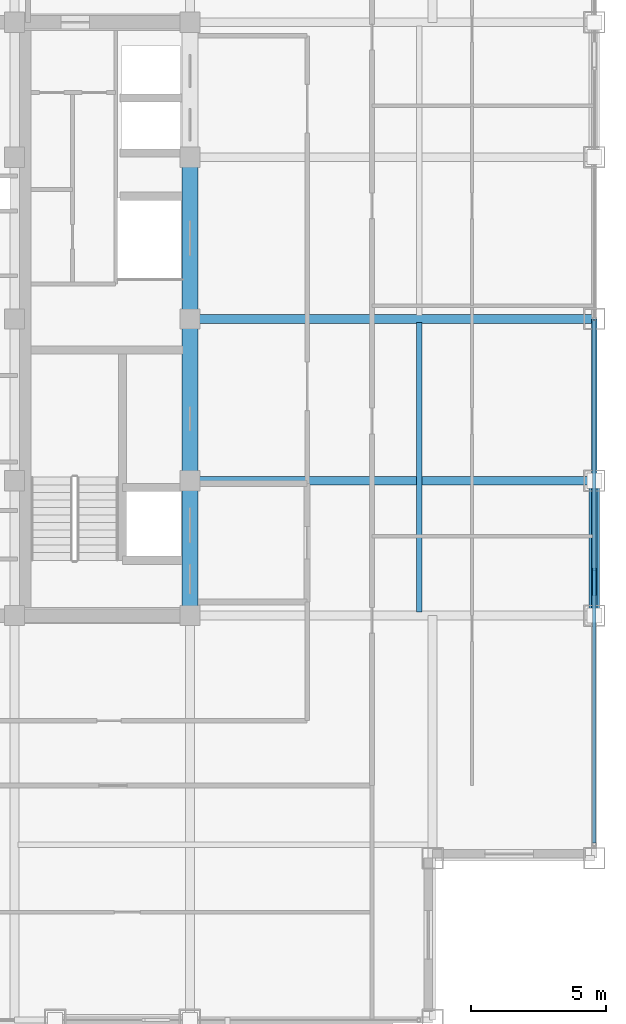
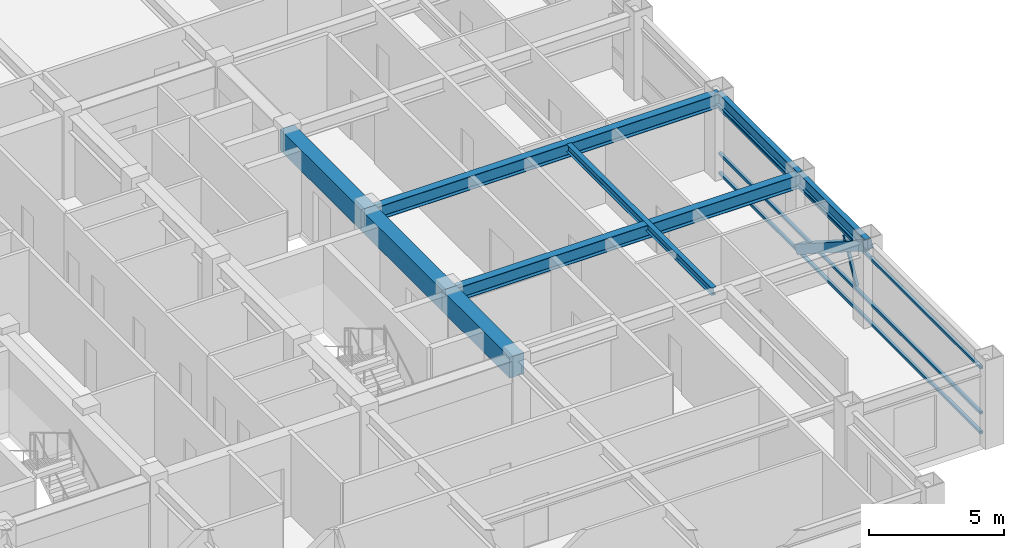
# One storey, part 11 of 32: 8 beams, 5 members, 1 element without a shape of its own.
"""IFC4 building model written with IfcOpenShell, lengths in metres."""

import ifcopenshell
import ifcopenshell.guid

model = None  # the IFC model being written
_history = None  # IfcOwnerHistory: only IFC2X3 demands one
_inside = {}  # id of a spatial element -> (the spatial element, [elements in it])
_under = {}  # id of a project, library or spatial element -> (it, [spatial elements below it])
_declared = {}  # id of a project -> (the project, [libraries it declares])
_typed = {}  # id of a type object -> (the type object, [elements of that type])
_made_of = {}  # id of a material, layer set ... -> (it, [elements and type objects made of it])


def new_model(schema):
    """Start an empty IFC model of exactly this schema.

    Asked for "IFC4X3", IfcOpenShell would pick the latest addendum, in which some entities
    have other attributes; the version numbers below select the first issue.
    IFC2X3 requires an IfcOwnerHistory on every rooted entity: one is made here for all.
    """
    global model, _history
    if schema == "IFC4X3":
        model = ifcopenshell.file(schema_version=(4, 3, 0, 0))
    else:
        model = ifcopenshell.file(schema=schema)
    _inside.clear()
    _under.clear()
    _declared.clear()
    _typed.clear()
    _made_of.clear()
    _history = None
    if model.schema == "IFC2X3":
        org = make("IfcOrganization", Name="unknown")
        user = make(
            "IfcPersonAndOrganization",
            ThePerson=make("IfcPerson", FamilyName="unknown"),
            TheOrganization=org,
        )
        app = make(
            "IfcApplication",
            ApplicationDeveloper=org,
            Version="unknown",
            ApplicationFullName="unknown",
            ApplicationIdentifier="unknown",
        )
        _history = make(
            "IfcOwnerHistory",
            OwningUser=user,
            OwningApplication=app,
            ChangeAction="ADDED",
            CreationDate=0,
        )
    return model


def make(cls, **values):
    """One entity of the class cls with the attributes given. An attribute that is None is left unset."""
    return model.create_entity(
        cls, **{name: value for name, value in values.items() if value is not None}
    )


def rooted(cls, **values):
    """An entity with a GlobalId (a new one), such as an element, a storey or a relation."""
    return make(cls, GlobalId=ifcopenshell.guid.new(), OwnerHistory=_history, **values)


def si_unit(unit_type, name, prefix=None):
    """IfcSIUnit, for example si_unit("LENGTHUNIT", "METRE", prefix="MILLI")."""
    return make("IfcSIUnit", UnitType=unit_type, Prefix=prefix, Name=name)


def assignment(units):
    """IfcUnitAssignment: the units of a project."""
    return None if units is None else make("IfcUnitAssignment", Units=units)


def point(xyz):
    """IfcCartesianPoint."""
    return None if xyz is None else make("IfcCartesianPoint", Coordinates=xyz)


def direction(xyz):
    """IfcDirection."""
    return None if xyz is None else make("IfcDirection", DirectionRatios=xyz)


def frame(location, z_axis=None, x_axis=None):
    """IfcAxis2Placement3D, a coordinate frame: its origin and axes. An axis left out is left unset."""
    return make(
        "IfcAxis2Placement3D",
        Location=point(location),
        Axis=direction(z_axis),
        RefDirection=direction(x_axis),
    )


def frame_2d(location, x_axis=None):
    """IfcAxis2Placement2D, a coordinate frame in the plane: its origin and x axis."""
    return make(
        "IfcAxis2Placement2D", Location=point(location), RefDirection=direction(x_axis)
    )


def origin():
    """The frame at (0, 0, 0) with its axes left unset."""
    return frame((0.0, 0.0, 0.0))


def origin_2d():
    """The frame at (0, 0) in the plane with its x axis left unset."""
    return frame_2d((0.0, 0.0))


def place(relative_to, where):
    """IfcLocalPlacement: puts the frame where relative to a parent placement (None: the world)."""
    return make(
        "IfcLocalPlacement", PlacementRelTo=relative_to, RelativePlacement=where
    )


def context(
    kind, dimensions, precision=None, world=None, true_north=None, identifier=None
):
    """IfcGeometricRepresentationContext, for example the 3D "Model" context."""
    return make(
        "IfcGeometricRepresentationContext",
        ContextIdentifier=identifier,
        ContextType=kind,
        CoordinateSpaceDimension=dimensions,
        Precision=precision,
        WorldCoordinateSystem=world,
        TrueNorth=true_north,
    )


def subcontext(parent, identifier, kind, view, scale=None):
    """IfcGeometricRepresentationSubContext, for example "Body" below "Model"."""
    return make(
        "IfcGeometricRepresentationSubContext",
        ContextIdentifier=identifier,
        ContextType=kind,
        ParentContext=parent,
        TargetScale=scale,
        TargetView=view,
    )


def project(units=None, contexts=None):
    """IfcProject with its units and contexts."""
    return rooted(
        "IfcProject",
        Name="project",
        RepresentationContexts=contexts,
        UnitsInContext=assignment(units),
    )


def spatial(cls, under=None, at=None, **own):
    """A site, building, storey or space (cls), placed at a placement, below another one or the project."""
    s = rooted(cls, ObjectPlacement=at, **own)
    if under is not None:
        _under.setdefault(under.id(), (under, []))[1].append(s)
    return s


def profile(cls, at=None, kind="AREA", **sizes):
    """A parametric profile (cls). Its sizes go by their IFC names, for example OverallWidth=200.0."""
    return make(cls, ProfileType=kind, Position=at, **sizes)


def rectangle(**sizes):
    """IfcRectangleProfileDef."""
    return profile("IfcRectangleProfileDef", **sizes)


def hollow_rectangle(**sizes):
    """IfcRectangleHollowProfileDef."""
    return profile("IfcRectangleHollowProfileDef", **sizes)


def i_section(**sizes):
    """IfcIShapeProfileDef."""
    return profile("IfcIShapeProfileDef", **sizes)


def extrude(swept, where, along, depth):
    """IfcExtrudedAreaSolid: the profile swept, set in the frame where, extruded along a direction by depth."""
    return make(
        "IfcExtrudedAreaSolid",
        SweptArea=swept,
        Position=where,
        ExtrudedDirection=direction(along),
        Depth=depth,
    )


def shape(context_of_items, identifier, shape_type, items):
    """IfcShapeRepresentation: the items that make up one representation, for example the "Body"."""
    return make(
        "IfcShapeRepresentation",
        ContextOfItems=context_of_items,
        RepresentationIdentifier=identifier,
        RepresentationType=shape_type,
        Items=items,
    )


def source(mapping_origin, context_of_items, identifier, shape_type, items):
    """IfcRepresentationMap: a shape defined once, which mapped items show again and again."""
    return make(
        "IfcRepresentationMap",
        MappingOrigin=mapping_origin,
        MappedRepresentation=shape(context_of_items, identifier, shape_type, items),
    )


def transform(
    local_origin,
    x_axis=None,
    y_axis=None,
    z_axis=None,
    scale=None,
    scale2=None,
    scale3=None,
    uniform=True,
):
    """IfcCartesianTransformationOperator3D, or its non-uniform kind. x_axis, y_axis, z_axis: its Axis1, 2, 3."""
    if uniform:
        return make(
            "IfcCartesianTransformationOperator3D",
            Axis1=direction(x_axis),
            Axis2=direction(y_axis),
            LocalOrigin=point(local_origin),
            Scale=scale,
            Axis3=direction(z_axis),
        )
    return make(
        "IfcCartesianTransformationOperator3DnonUniform",
        Axis1=direction(x_axis),
        Axis2=direction(y_axis),
        LocalOrigin=point(local_origin),
        Scale=scale,
        Axis3=direction(z_axis),
        Scale2=scale2,
        Scale3=scale3,
    )


def mapped(mapping_source, mapping_target):
    """IfcMappedItem: shows the shape of a source again, moved by a transform."""
    return make(
        "IfcMappedItem", MappingSource=mapping_source, MappingTarget=mapping_target
    )


def material(Name=None, Category=None):
    """IfcMaterial."""
    return make("IfcMaterial", Name=Name, Category=Category)


def material_profile(
    of_material, cross_section, Name=None, Category=None, Priority=None
):
    """IfcMaterialProfile: a cross section and its material."""
    return make(
        "IfcMaterialProfile",
        Name=Name,
        Material=of_material,
        Profile=cross_section,
        Priority=Priority,
        Category=Category,
    )


def profile_set(profiles, Name=None, composite=None):
    """IfcMaterialProfileSet."""
    return make(
        "IfcMaterialProfileSet",
        Name=Name,
        MaterialProfiles=profiles,
        CompositeProfile=composite,
    )


def made_of(thing, what):
    """Note that an element or type object is made of a material, layer set ...; save() writes the relation."""
    if what is not None:
        _made_of.setdefault(what.id(), (what, []))[1].append(thing)
    return thing


def type_object(cls, material=None, **own):
    """A type object (cls), such as IfcWallType, which elements share."""
    return made_of(rooted(cls, **own), material)


def element(
    cls,
    number,
    at=None,
    inside=None,
    cuts=None,
    type_object=None,
    material=None,
    context=None,
    identifier="Body",
    shape_type=None,
    held_by="IfcProductDefinitionShape",
    body=None,
    shapes=None,
    **own,
):
    """One element of the class cls, such as IfcWall. Its Tag is "e" and its number.

    at: its placement. inside: the storey or other place that contains it. cuts: it is an
    opening in that element (IfcRelVoidsElement). A single representation is given by context,
    identifier, shape_type and body (its items); several are given by shapes. held_by: the class
    of the entity that holds the representations. save() writes the other relations.
    """
    e = rooted(cls, Tag="e%d" % number, ObjectPlacement=at, **own)
    if body is not None:
        shapes = [shape(context, identifier, shape_type, body)]
    if shapes is not None:
        e.Representation = make(held_by, Representations=shapes)
    if inside is not None:
        _inside.setdefault(inside.id(), (inside, []))[1].append(e)
    if cuts is not None:
        rooted(
            "IfcRelVoidsElement", RelatingBuildingElement=cuts, RelatedOpeningElement=e
        )
    if type_object is not None:
        _typed.setdefault(type_object.id(), (type_object, []))[1].append(e)
    return made_of(e, material)


def aggregate(whole, parts):
    """IfcRelAggregates: a whole, such as a stair, and the parts it consists of."""
    return rooted("IfcRelAggregates", RelatingObject=whole, RelatedObjects=parts)


def save(model, path):
    """Write the relations noted so far, then the file.

    IfcRelAggregates (storeys below a building ...), IfcRelContainedInSpatialStructure (elements
    in a storey), IfcRelDefinesByType, IfcRelAssociatesMaterial and IfcRelDeclares: one each for
    every whole, place, type object, material and project.
    """
    for whole, parts in _under.values():
        aggregate(whole, parts)
    for where, things in _inside.values():
        rooted(
            "IfcRelContainedInSpatialStructure",
            RelatedElements=things,
            RelatingStructure=where,
        )
    for kind, things in _typed.values():
        rooted("IfcRelDefinesByType", RelatedObjects=things, RelatingType=kind)
    for what, things in _made_of.values():
        rooted("IfcRelAssociatesMaterial", RelatedObjects=things, RelatingMaterial=what)
    for by, libraries in _declared.values():
        rooted("IfcRelDeclares", RelatingContext=by, RelatedDefinitions=libraries)
    model.write(path)


model = new_model("IFC4")

# Units and contexts
model_context = context("Model", 3, precision=1e-05, world=origin(), true_north=direction((0.0, 1.0)))
body_context = subcontext(model_context, "Body", "Model", "MODEL_VIEW")
ifc_project = project(units=[si_unit("LENGTHUNIT", "METRE"), si_unit("AREAUNIT", "SQUARE_METRE"), si_unit("VOLUMEUNIT", "CUBIC_METRE"), si_unit("PLANEANGLEUNIT", "RADIAN"), si_unit("MASSUNIT", "GRAM", prefix="KILO")], contexts=[model_context])

# Site, building, storey
site_placement = place(None, origin())
site = spatial("IfcSite", under=ifc_project, at=site_placement, CompositionType="ELEMENT")
building_placement = place(site_placement, origin())
building = spatial("IfcBuilding", under=site, at=building_placement, Name="Khorayat Bourse Tower", CompositionType="ELEMENT")
storey_placement = place(building_placement, frame((0.0, 0.0, 342.300048828125)))
storey = spatial("IfcBuildingStorey", under=building, at=storey_placement, Name="L81", CompositionType="ELEMENT", Elevation=342.300048828125)

# Beams
ifc_material_1 = material(Name="Concrete C60/75", Category="concrete")
ifc_material_profile_1 = material_profile(ifc_material_1, rectangle(XDim=0.60009765625, YDim=0.949951171875, at=origin_2d()), Name="RC 600x950")
ifc_profile_set_1 = profile_set([ifc_material_profile_1], Name="Concrete C60/75")
beam_type_1 = type_object("IfcBeamType", Name="BM-COUP-950", PredefinedType="BEAM", material=ifc_profile_set_1)
shared_shape_1 = source(origin(), body_context, "Body", "SweptSolid", [
    extrude(rectangle(XDim=0.60009765625, YDim=0.949951171875, at=origin_2d()), origin(), (0.0, 0.0, 1.0), 5.0),
])
beam_1_placement = place(storey_placement, frame((11.0, -11.0, 3.224853515625), z_axis=(0.0, 1.0, 0.0), x_axis=(-1.0, 0.0, 0.0)))
element("IfcBeam", 1, at=beam_1_placement, inside=storey, type_object=beam_type_1, Name="L81 BM-COUP-950 BM-L81-CRX-13", PredefinedType="BEAM", context=body_context, shape_type="MappedRepresentation", body=[
    mapped(shared_shape_1, transform((0.0, 0.0, 0.0), scale=1.0)),
])
shared_shape_2 = source(origin(), body_context, "Body", "SweptSolid", [
    extrude(rectangle(XDim=0.60009765625, YDim=0.949951171875, at=origin_2d()), origin(), (0.0, 0.0, 1.0), 6.0),
])
for number, where, z_axis, x_axis, name in (
    (2, (11.0, -6.0, 3.224853515625), (0.0, 1.0, 0.0), (-1.0, 0.0, 0.0), "L81 BM-COUP-950 BM-L81-CRX-14"),
    (3, (11.0, 0.0, 3.224853515625), (0.0, 1.0, 0.0), (-1.0, 0.0, 0.0), "L81 BM-COUP-950 BM-L81-CRX-15"),
):
    element("IfcBeam", number, at=place(storey_placement, frame(where, z_axis=z_axis, x_axis=x_axis)), inside=storey, type_object=beam_type_1, Name=name, PredefinedType="BEAM", context=body_context, shape_type="MappedRepresentation", body=[
        mapped(shared_shape_2, transform((0.0, 0.0, 0.0), scale=1.0)),
    ])
ifc_material_2 = material(Name="Steel ASTM A992 Grade 50", Category="steel")
ifc_material_profile_2 = material_profile(ifc_material_2, i_section(OverallWidth=0.202880859375, OverallDepth=0.346923828125, WebThickness=0.0078125, FlangeThickness=0.013427734375, FilletRadius=0.010009765625, at=origin_2d()), Name="W360X64")
ifc_profile_set_2 = profile_set([ifc_material_profile_2], Name="Steel ASTM A992 Grade 50")
beam_type_2 = type_object("IfcBeamType", Name="BM-JOIST-360", PredefinedType="JOIST", material=ifc_profile_set_2)
shared_shape_3 = source(origin(), body_context, "Body", "SweptSolid", [
    extrude(i_section(OverallWidth=0.202880859375, OverallDepth=0.346923828125, WebThickness=0.0078125, FlangeThickness=0.013427734375, FilletRadius=0.010009765625, at=origin_2d()), origin(), (0.0, 0.0, 1.0), 10.740234375),
])
beam_2_placement = place(storey_placement, frame((19.5, -10.8701171875, 3.5263671875), z_axis=(0.0, 1.0, 0.0), x_axis=(-1.0, 0.0, 0.0)))
element("IfcBeam", 4, at=beam_2_placement, inside=storey, type_object=beam_type_2, Name="L81 BM-JOIST-360 BM-L81-JSTY-081", PredefinedType="JOIST", context=body_context, shape_type="MappedRepresentation", body=[
    mapped(shared_shape_3, transform((0.0, 0.0, 0.0), scale=1.0)),
])
ifc_material_profile_3 = material_profile(ifc_material_2, i_section(OverallWidth=0.214111328125, OverallDepth=0.549072265625, WebThickness=0.0146484375, FlangeThickness=0.023681640625, FilletRadius=0.013916015625, at=origin_2d()), Name="W530X138")
ifc_profile_set_3 = profile_set([ifc_material_profile_3], Name="Steel ASTM A992 Grade 50")
beam_type_3 = type_object("IfcBeamType", Name="BM-SPAN-530", PredefinedType="SPANDREL", material=ifc_profile_set_3)
shared_shape_4 = source(origin(), body_context, "Body", "SweptSolid", [
    extrude(i_section(OverallWidth=0.214111328125, OverallDepth=0.549072265625, WebThickness=0.0146484375, FlangeThickness=0.023681640625, FilletRadius=0.013916015625, at=origin_2d()), origin(), (0.0, 0.0, 1.0), 5.0),
])
beam_3_placement = place(storey_placement, frame((26.0, -11.0, 3.425537109375), z_axis=(0.0, 1.0, 0.0), x_axis=(-1.0, 0.0, 0.0)))
element("IfcBeam", 5, at=beam_3_placement, inside=storey, type_object=beam_type_3, Name="L81 BM-SPAN-530 BM-L81-SPN-030", PredefinedType="SPANDREL", context=body_context, shape_type="MappedRepresentation", body=[
    mapped(shared_shape_4, transform((0.0, 0.0, 0.0), scale=1.0)),
])
shared_shape_5 = source(origin(), body_context, "Body", "SweptSolid", [
    extrude(i_section(OverallWidth=0.214111328125, OverallDepth=0.549072265625, WebThickness=0.0146484375, FlangeThickness=0.023681640625, FilletRadius=0.013916015625, at=origin_2d()), origin(), (0.0, 0.0, 1.0), 6.0),
])
beam_4_placement = place(storey_placement, frame((26.0, -6.0, 3.425537109375), z_axis=(0.0, 1.0, 0.0), x_axis=(-1.0, 0.0, 0.0)))
element("IfcBeam", 6, at=beam_4_placement, inside=storey, type_object=beam_type_3, Name="L81 BM-SPAN-530 BM-L81-SPN-031", PredefinedType="SPANDREL", context=body_context, shape_type="MappedRepresentation", body=[
    mapped(shared_shape_5, transform((0.0, 0.0, 0.0), scale=1.0)),
])
ifc_material_profile_4 = material_profile(ifc_material_2, i_section(OverallWidth=0.324951171875, OverallDepth=0.615966796875, WebThickness=0.013916015625, FlangeThickness=0.021484375, FilletRadius=0.01611328125, at=origin_2d()), Name="W610X174")
ifc_profile_set_4 = profile_set([ifc_material_profile_4], Name="Steel ASTM A992 Grade 50")
beam_type_4 = type_object("IfcBeamType", Name="BM-GIRD-610", PredefinedType="BEAM", material=ifc_profile_set_4)
shared_shape_6 = source(origin(), body_context, "Body", "SweptSolid", [
    extrude(i_section(OverallWidth=0.324951171875, OverallDepth=0.615966796875, WebThickness=0.013916015625, FlangeThickness=0.021484375, FilletRadius=0.01611328125, at=origin_2d()), origin(), (0.0, 0.0, 1.0), 15.0),
])
for number, where, z_axis, x_axis, name in (
    (7, (11.0, -6.0, 3.391845703125), (1.0, 0.0, 0.0), (0.0, 1.0, 0.0), "L81 BM-GIRD-610 BM-L81-RADX-063"),
    (8, (11.0, 0.0, 3.391845703125), (1.0, 0.0, 0.0), (0.0, 1.0, 0.0), "L81 BM-GIRD-610 BM-L81-RADX-065"),
):
    element("IfcBeam", number, at=place(storey_placement, frame(where, z_axis=z_axis, x_axis=x_axis)), inside=storey, type_object=beam_type_4, Name=name, PredefinedType="BEAM", context=body_context, shape_type="MappedRepresentation", body=[
        mapped(shared_shape_6, transform((0.0, 0.0, 0.0), scale=1.0)),
    ])

# Member
ifc_material_3 = material(Name="Steel EN 10025-4 S460M", Category="steel")
ifc_material_profile_5 = material_profile(ifc_material_3, hollow_rectangle(XDim=0.39990234375, YDim=0.39990234375, WallThickness=0.02197265625, at=origin_2d()), Name="HSS 400x400x22")
ifc_profile_set_5 = profile_set([ifc_material_profile_5], Name="Steel EN 10025-4 S460M")
member_type_1 = type_object("IfcMemberType", Name="MBR-TUBE-400", PredefinedType="BRACE", material=ifc_profile_set_5)
shared_shape_7 = source(origin(), body_context, "Body", "SweptSolid", [
    extrude(hollow_rectangle(XDim=0.39990234375, YDim=0.39990234375, WallThickness=0.02197265625, at=origin_2d()), origin(), (0.0, 0.0, 1.0), 5.936279296875),
])
member_1_placement = place(storey_placement, frame((26.0, -11.0, 3.449951171875), z_axis=(0.0, 0.84227513519, -0.539047861178), x_axis=(-1.0, 0.0, 0.0)))
element("IfcMember", 9, at=member_1_placement, inside=storey, type_object=member_type_1, Name="L81 Perimeter Tube Brace 07", PredefinedType="BRACE", context=body_context, shape_type="MappedRepresentation", body=[
    mapped(shared_shape_7, transform((0.0, 0.0, 0.0), scale=1.0)),
])

# Curtain wall, members
ifc_material_4 = material(Name="Aluminium EN AW-6063 T6", Category="aluminium")
curtain_wall_type = type_object("IfcCurtainWallType", Name="CW-SYS-04", PredefinedType="NOTDEFINED", material=ifc_material_4)
curtain_wall_placement = place(storey_placement, origin())
curtain_wall = element("IfcCurtainWall", 10, at=curtain_wall_placement, inside=storey, type_object=curtain_wall_type, Name="L81 Curtain Wall CW-L81-E1", PredefinedType="NOTDEFINED")
ifc_material_profile_6 = material_profile(ifc_material_4, hollow_rectangle(XDim=0.1201171875, YDim=0.1201171875, WallThickness=0.0048828125, at=origin_2d()), Name="ALU 120x120x5")
ifc_profile_set_6 = profile_set([ifc_material_profile_6], Name="Aluminium EN AW-6063 T6")
member_type_2 = type_object("IfcMemberType", Name="CWT-HORZ-120", PredefinedType="USERDEFINED", material=ifc_profile_set_6)
shared_shape_8 = source(origin(), body_context, "Body", "SweptSolid", [
    extrude(hollow_rectangle(XDim=0.1201171875, YDim=0.1201171875, WallThickness=0.0048828125, at=origin_2d()), origin(), (0.0, 0.0, 1.0), 19.369873046875),
])
member_2_placement = place(storey_placement, frame((26.0, -19.429931640625, 0.06005859375), z_axis=(0.0, 1.0, 0.0), x_axis=(-1.0, 0.0, 0.0)))
member_2 = element("IfcMember", 11, at=member_2_placement, type_object=member_type_2, Name="CW-L81-E1 Horizontal Transom 1-1", ObjectType="TRANSOM", PredefinedType="USERDEFINED", context=body_context, shape_type="MappedRepresentation", body=[
    mapped(shared_shape_8, transform((0.0, 0.0, 0.0), scale=1.0)),
])
member_3_placement = place(storey_placement, frame((26.0, -19.429931640625, 0.949951171875), z_axis=(0.0, 1.0, 0.0), x_axis=(-1.0, 0.0, 0.0)))
member_3 = element("IfcMember", 12, at=member_3_placement, type_object=member_type_2, Name="CW-L81-E1 Horizontal Transom 1-2", ObjectType="TRANSOM", PredefinedType="USERDEFINED", context=body_context, shape_type="MappedRepresentation", body=[
    mapped(shared_shape_8, transform((0.0, 0.0, 0.0), scale=1.0)),
])
member_4_placement = place(storey_placement, frame((26.0, -19.429931640625, 2.989990234375), z_axis=(0.0, 1.0, 0.0), x_axis=(-1.0, 0.0, 0.0)))
member_4 = element("IfcMember", 13, at=member_4_placement, type_object=member_type_2, Name="CW-L81-E1 Horizontal Transom 1-3", ObjectType="TRANSOM", PredefinedType="USERDEFINED", context=body_context, shape_type="MappedRepresentation", body=[
    mapped(shared_shape_8, transform((0.0, 0.0, 0.0), scale=1.0)),
])
ifc_material_profile_7 = material_profile(ifc_material_4, hollow_rectangle(XDim=0.1201171875, YDim=0.1201171875, WallThickness=0.0048828125, at=origin_2d()), Name="ALU 120x120x5")
ifc_profile_set_7 = profile_set([ifc_material_profile_7], Name="Aluminium EN AW-6063 T6")
member_type_3 = type_object("IfcMemberType", Name="CWM-DIAG-120", PredefinedType="MULLION", material=ifc_profile_set_7)
shared_shape_9 = source(origin(), body_context, "Body", "SweptSolid", [
    extrude(hollow_rectangle(XDim=0.1201171875, YDim=0.1201171875, WallThickness=0.0048828125, at=origin_2d()), origin(), (0.0, 0.0, 1.0), 1.989013671875),
])
member_5_placement = place(storey_placement, frame((26.0, -10.208251953125, 1.08984375), z_axis=(0.0, 0.46582231551, 0.884878279976), x_axis=(-1.0, 0.0, 0.0)))
member_5 = element("IfcMember", 14, at=member_5_placement, type_object=member_type_3, Name="CW-L81-E1 Faceted Diagonal Mullion 1", PredefinedType="MULLION", context=body_context, shape_type="MappedRepresentation", body=[
    mapped(shared_shape_9, transform((0.0, 0.0, 0.0), scale=1.0)),
])
aggregate(curtain_wall, [member_2, member_3, member_4, member_5])

save(model, "model.ifc")
